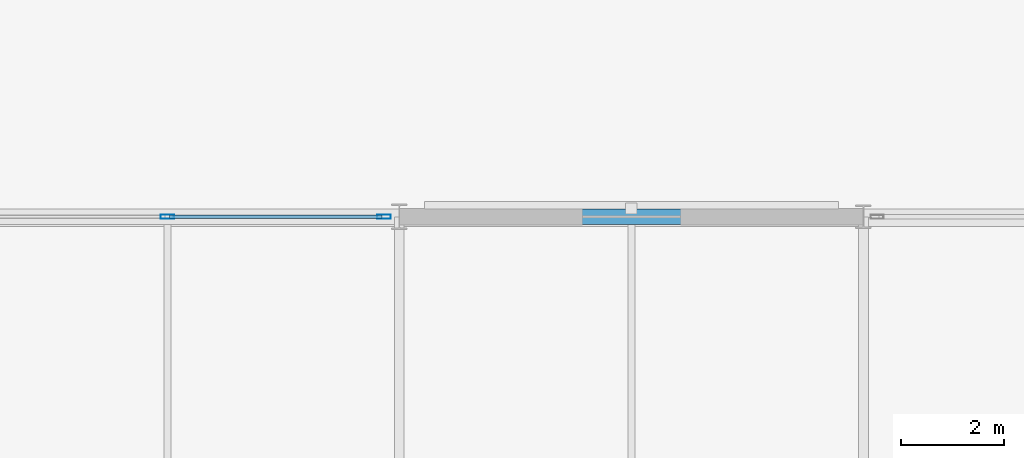
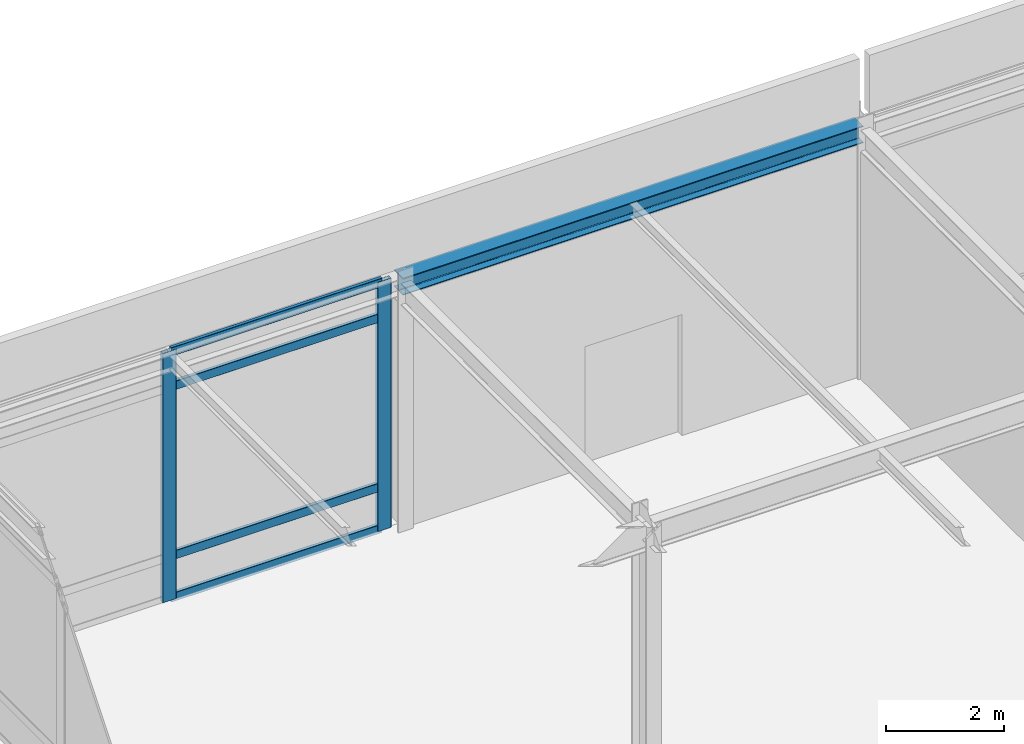
# One storey, part 52 of 89: 6 members, 1 beam, 1 element without a shape of its own.
"""IFC4 building model written with IfcOpenShell, lengths in metres."""

from ifc_helpers import new_model, si_unit, direction, frame, origin, origin_2d, place, context, subcontext, project, spatial, hollow_rectangle, i_section, extrude, material, layer, layer_set, material_profile, profile_set, type_object, element, aggregate, save


model = new_model("IFC4")

# Units and contexts
model_context = context("Model", 3, precision=1e-05, world=origin(), true_north=direction((0.0, 1.0)))
body_context = subcontext(model_context, "Body", "Model", "MODEL_VIEW")
ifc_project = project(units=[si_unit("LENGTHUNIT", "METRE"), si_unit("AREAUNIT", "SQUARE_METRE"), si_unit("VOLUMEUNIT", "CUBIC_METRE"), si_unit("PLANEANGLEUNIT", "RADIAN"), si_unit("MASSUNIT", "GRAM", prefix="KILO")], contexts=[model_context])

# Site, building, storey
site_placement = place(None, origin())
site = spatial("IfcSite", under=ifc_project, at=site_placement, CompositionType="ELEMENT")
building_placement = place(site_placement, origin())
building = spatial("IfcBuilding", under=site, at=building_placement, Name="Shalkamar Park Central Library", CompositionType="ELEMENT")
storey_placement = place(building_placement, origin())
storey = spatial("IfcBuildingStorey", under=building, at=storey_placement, Name="L01", CompositionType="ELEMENT", Elevation=0.0)

# Curtain wall, members
ifc_material_1 = material(Name="Thermally broken aluminium and triple low-e curtain wall", Category="aluminium")
ifc_layer = layer(ifc_material_1, 0.264892578125)
ifc_layer_set = layer_set([ifc_layer], Name="UnitisedCurtainWall_11")
curtain_wall_type = type_object("IfcCurtainWallType", Name="Unitised Curtain Wall 11", PredefinedType="USERDEFINED", material=ifc_layer_set)
curtain_wall_placement = place(storey_placement, origin())
curtain_wall = element("IfcCurtainWall", 1, at=curtain_wall_placement, inside=storey, type_object=curtain_wall_type, Name="Unitised Curtain Wall CW-L01-012", ObjectType="UNITISED CURTAIN WALL", PredefinedType="USERDEFINED")
ifc_material_2 = material(Name="Aluminium 6060-T66", Category="aluminium")
ifc_material_profile_1 = material_profile(ifc_material_2, hollow_rectangle(XDim=0.0849609375, YDim=0.264892578125, WallThickness=0.0048828125, InnerFilletRadius=0.0048828125, OuterFilletRadius=0.007568359375, at=origin_2d()), Name="ALU 85x265x5")
ifc_profile_set_1 = profile_set([ifc_material_profile_1], Name="Aluminium 6060-T66")
member_type_1 = type_object("IfcMemberType", Name="Curtain Wall Mullion ALU85x265", PredefinedType="MULLION", material=ifc_profile_set_1)
member_1_placement = place(storey_placement, frame((241.501953125, 354.0, 0.0), z_axis=(0.0, 0.0, 1.0), x_axis=(0.0, 1.0, 0.0)))
member_1 = element("IfcMember", 2, at=member_1_placement, type_object=member_type_1, Name="CW-11 mullion 2", PredefinedType="MULLION", context=body_context, shape_type="SweptSolid", body=[
    extrude(hollow_rectangle(XDim=0.0849609375, YDim=0.264892578125, WallThickness=0.0048828125, InnerFilletRadius=0.0048828125, OuterFilletRadius=0.007568359375, at=origin_2d()), origin(), (0.0, 0.0, 1.0), 5.14990234375),
])
member_2_placement = place(storey_placement, frame((245.70361328125, 354.0, 0.0), z_axis=(0.0, 0.0, 1.0), x_axis=(0.0, 1.0, 0.0)))
member_2 = element("IfcMember", 3, at=member_2_placement, type_object=member_type_1, Name="CW-11 mullion 3", PredefinedType="MULLION", context=body_context, shape_type="SweptSolid", body=[
    extrude(hollow_rectangle(XDim=0.0849609375, YDim=0.264892578125, WallThickness=0.0048828125, InnerFilletRadius=0.0048828125, OuterFilletRadius=0.007568359375, at=origin_2d()), origin(), (0.0, 0.0, 1.0), 5.14990234375),
])
ifc_material_profile_2 = material_profile(ifc_material_2, hollow_rectangle(XDim=0.070068359375, YDim=0.179931640625, WallThickness=0.00439453125, InnerFilletRadius=0.00439453125, OuterFilletRadius=0.0068359375, at=origin_2d()), Name="ALU 70x180x4.5")
ifc_profile_set_2 = profile_set([ifc_material_profile_2], Name="Aluminium 6060-T66")
member_type_2 = type_object("IfcMemberType", Name="Curtain Wall Transom ALU70x180", PredefinedType="USERDEFINED", material=ifc_profile_set_2)
member_3_placement = place(storey_placement, frame((241.54443359375, 354.0, 0.034912109375), z_axis=(1.0, 0.0, 0.0), x_axis=(0.0, 1.0, 0.0)))
member_3 = element("IfcMember", 4, at=member_3_placement, type_object=member_type_2, Name="CW-11 transom 2.1", ObjectType="TRANSOM", PredefinedType="USERDEFINED", context=body_context, shape_type="SweptSolid", body=[
    extrude(hollow_rectangle(XDim=0.070068359375, YDim=0.179931640625, WallThickness=0.00439453125, InnerFilletRadius=0.00439453125, OuterFilletRadius=0.0068359375, at=origin_2d()), origin(), (0.0, 0.0, 1.0), 4.116455078125),
])
member_4_placement = place(storey_placement, frame((241.54443359375, 354.0, 0.89990234375), z_axis=(1.0, 0.0, 0.0), x_axis=(0.0, 1.0, 0.0)))
member_4 = element("IfcMember", 5, at=member_4_placement, type_object=member_type_2, Name="CW-11 transom 2.2", ObjectType="TRANSOM", PredefinedType="USERDEFINED", context=body_context, shape_type="SweptSolid", body=[
    extrude(hollow_rectangle(XDim=0.070068359375, YDim=0.179931640625, WallThickness=0.00439453125, InnerFilletRadius=0.00439453125, OuterFilletRadius=0.0068359375, at=origin_2d()), origin(), (0.0, 0.0, 1.0), 4.116455078125),
])
member_5_placement = place(storey_placement, frame((241.54443359375, 354.0, 4.39990234375), z_axis=(1.0, 0.0, 0.0), x_axis=(0.0, 1.0, 0.0)))
member_5 = element("IfcMember", 6, at=member_5_placement, type_object=member_type_2, Name="CW-11 transom 2.3", ObjectType="TRANSOM", PredefinedType="USERDEFINED", context=body_context, shape_type="SweptSolid", body=[
    extrude(hollow_rectangle(XDim=0.070068359375, YDim=0.179931640625, WallThickness=0.00439453125, InnerFilletRadius=0.00439453125, OuterFilletRadius=0.0068359375, at=origin_2d()), origin(), (0.0, 0.0, 1.0), 4.116455078125),
])
member_6_placement = place(storey_placement, frame((241.54443359375, 354.0, 5.114990234375), z_axis=(1.0, 0.0, 0.0), x_axis=(0.0, 1.0, 0.0)))
member_6 = element("IfcMember", 7, at=member_6_placement, type_object=member_type_2, Name="CW-11 transom 2.4", ObjectType="TRANSOM", PredefinedType="USERDEFINED", context=body_context, shape_type="SweptSolid", body=[
    extrude(hollow_rectangle(XDim=0.070068359375, YDim=0.179931640625, WallThickness=0.00439453125, InnerFilletRadius=0.00439453125, OuterFilletRadius=0.0068359375, at=origin_2d()), origin(), (0.0, 0.0, 1.0), 4.116455078125),
])
aggregate(curtain_wall, [member_1, member_2, member_3, member_4, member_5, member_6])

# Beam
ifc_material_3 = material(Name="Steel S355", Category="steel")
ifc_material_profile_3 = material_profile(ifc_material_3, i_section(OverallWidth=0.300048828125, OverallDepth=0.35009765625, WebThickness=0.010009765625, FlangeThickness=0.017578125, FilletRadius=0.027099609375, at=origin_2d()), Name="HEA 360")
ifc_profile_set_3 = profile_set([ifc_material_profile_3], Name="Steel S355")
beam_type = type_object("IfcBeamType", Name="Perimeter Spandrel Beam HEA360", PredefinedType="SPANDREL", material=ifc_profile_set_3)
beam_placement = place(storey_placement, frame((246.0, 354.0, 4.97509765625), z_axis=(1.0, 0.0, 0.0), x_axis=(0.0, 1.0, 0.0)))
element("IfcBeam", 8, at=beam_placement, inside=storey, type_object=beam_type, Name="Beam R:17-18 (L01)", PredefinedType="SPANDREL", context=body_context, shape_type="SweptSolid", body=[
    extrude(i_section(OverallWidth=0.300048828125, OverallDepth=0.35009765625, WebThickness=0.010009765625, FlangeThickness=0.017578125, FilletRadius=0.027099609375, at=origin_2d()), origin(), (0.0, 0.0, 1.0), 9.0),
])

save(model, "model.ifc")
